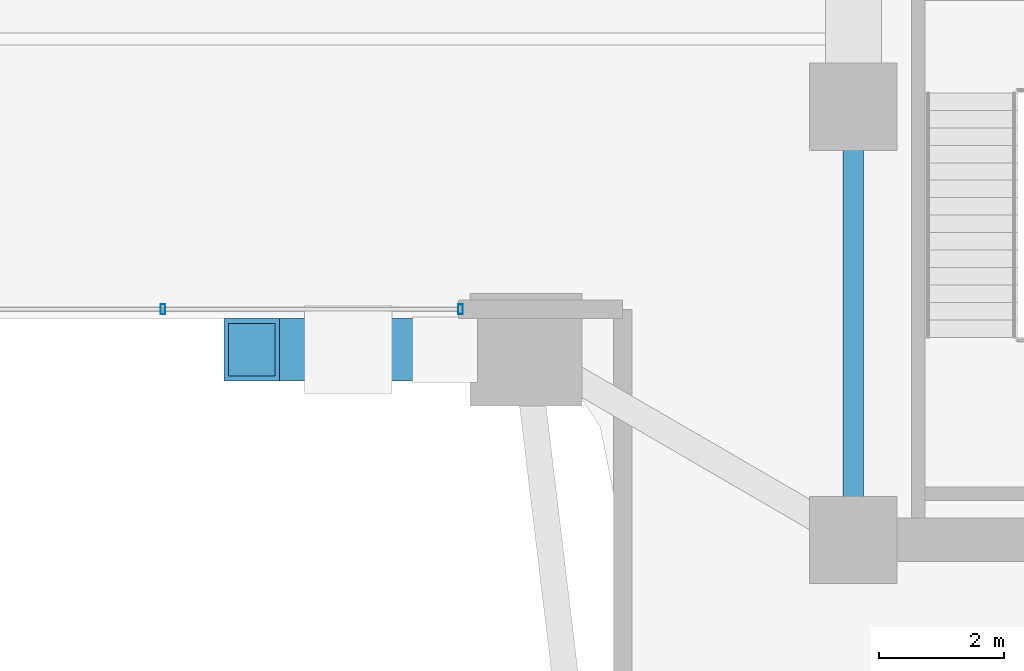
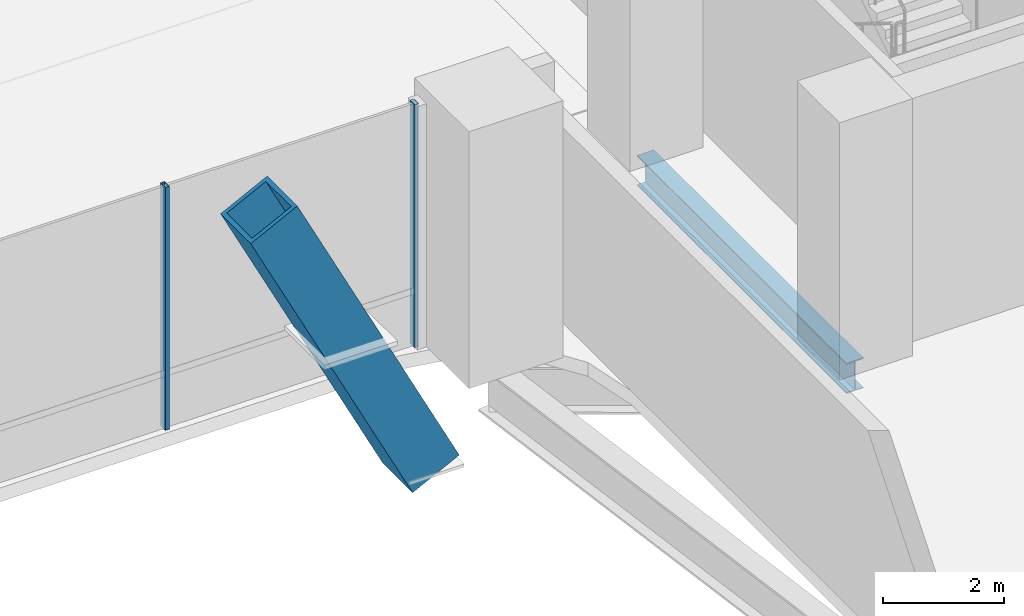
# One storey, part 10 of 39: 3 members, 1 beam, 1 element without a shape of its own.
"""IFC4 building model written with IfcOpenShell, lengths in metres."""

from ifc_helpers import new_model, si_unit, direction, frame, origin, origin_2d, place, context, subcontext, project, spatial, hollow_rectangle, i_section, extrude, source, transform, mapped, material, material_profile, profile_set, type_object, element, aggregate, save


model = new_model("IFC4")

# Units and contexts
model_context = context("Model", 3, precision=1e-05, world=origin(), true_north=direction((0.0, 1.0)))
body_context = subcontext(model_context, "Body", "Model", "MODEL_VIEW")
ifc_project = project(units=[si_unit("LENGTHUNIT", "METRE"), si_unit("AREAUNIT", "SQUARE_METRE"), si_unit("VOLUMEUNIT", "CUBIC_METRE"), si_unit("PLANEANGLEUNIT", "RADIAN"), si_unit("MASSUNIT", "GRAM", prefix="KILO")], contexts=[model_context])

# Site, building, storey
site_placement = place(None, origin())
site = spatial("IfcSite", under=ifc_project, at=site_placement, CompositionType="ELEMENT")
building_placement = place(site_placement, origin())
building = spatial("IfcBuilding", under=site, at=building_placement, Name="Valdorenza Pilgrim Sanctuary Tower", CompositionType="ELEMENT")
storey_placement = place(building_placement, frame((0.0, 0.0, 10.39990234375)))
storey = spatial("IfcBuildingStorey", under=building, at=storey_placement, Name="L02", CompositionType="ELEMENT", Elevation=10.39990234375)

# Beam
ifc_material_1 = material(Name="Steel ASTM A992 Grade 50", Category="steel")
ifc_material_profile_1 = material_profile(ifc_material_1, i_section(OverallWidth=0.323974609375, OverallDepth=0.611083984375, WebThickness=0.0126953125, FlangeThickness=0.01904296875, at=origin_2d()), Name="W24X104")
ifc_profile_set_1 = profile_set([ifc_material_profile_1], Name="Steel ASTM A992 Grade 50")
beam_type = type_object("IfcBeamType", Name="STR-BM-GRD-W24B", PredefinedType="BEAM", material=ifc_profile_set_1)
shared_shape_1 = source(origin(), body_context, "Body", "SweptSolid", [
    extrude(i_section(OverallWidth=0.323974609375, OverallDepth=0.611083984375, WebThickness=0.0126953125, FlangeThickness=0.01904296875, at=origin_2d()), origin(), (0.0, 0.0, 1.0), 6.949951171875),
])
beam_placement = place(storey_placement, frame((15.85009765625, -9.550048828125, -0.58544921875), z_axis=(0.0, 1.0, 0.0), x_axis=(-1.0, 0.0, 0.0)))
element("IfcBeam", 1, at=beam_placement, inside=storey, type_object=beam_type, Name="L02 Core Tie Girder CB-W-S1M0", PredefinedType="BEAM", context=body_context, shape_type="MappedRepresentation", body=[
    mapped(shared_shape_1, transform((0.0, 0.0, 0.0), x_axis=(1.0, 0.0, 0.0), y_axis=(0.0, 1.0, 0.0), z_axis=(0.0, 0.0, 1.0), scale=1.0)),
])

# Member
ifc_material_2 = material(Name="Steel ASTM A572 Grade 42", Category="steel")
ifc_material_profile_2 = material_profile(ifc_material_2, hollow_rectangle(XDim=1.0, YDim=1.0, WallThickness=0.080078125, at=origin_2d()), Name="BOX 1000x1000x80")
ifc_profile_set_2 = profile_set([ifc_material_profile_2], Name="Steel ASTM A572 Grade 42")
member_type_1 = type_object("IfcMemberType", Name="STR-MB-ARCH-RIB", PredefinedType="CHORD", material=ifc_profile_set_2)
shared_shape_2 = source(origin(), body_context, "Body", "SweptSolid", [
    extrude(hollow_rectangle(XDim=1.0, YDim=1.0, WallThickness=0.080078125, at=origin_2d()), origin(), (0.0, 0.0, 1.0), 6.86474609375),
])
member_1_placement = place(storey_placement, frame((6.199951171875, -6.5, 4.300048828125), z_axis=(0.451589695297, 0.0, -0.892225726541), x_axis=(0.0, 1.0, 0.0)))
element("IfcMember", 2, at=member_1_placement, inside=storey, type_object=member_type_1, Name="Parabolic Portal Arch Rib INNER Seg 7", PredefinedType="CHORD", context=body_context, shape_type="MappedRepresentation", body=[
    mapped(shared_shape_2, transform((0.0, 0.0, 0.0), x_axis=(1.0, 0.0, 0.0), y_axis=(0.0, 1.0, 0.0), z_axis=(0.0, 0.0, 1.0), scale=1.0)),
])

# Curtain wall, members
ifc_material_3 = material(Name="Curtain-wall IGU glazing", Category="glass")
curtain_wall_type = type_object("IfcCurtainWallType", Name="CW-SYS-01", PredefinedType="NOTDEFINED", material=ifc_material_3)
curtain_wall_placement = place(storey_placement, origin())
curtain_wall = element("IfcCurtainWall", 3, at=curtain_wall_placement, inside=storey, type_object=curtain_wall_type, Name="L02 Curtain Wall CW-POD-L02-ARCH-BACK", PredefinedType="NOTDEFINED")
ifc_material_4 = material(Name="Anodised aluminium AW-6060", Category="aluminium")
ifc_material_profile_3 = material_profile(ifc_material_4, hollow_rectangle(XDim=0.074951171875, YDim=0.159912109375, WallThickness=0.00390625, at=origin_2d()), Name="ALU-M 160x75x4")
ifc_profile_set_3 = profile_set([ifc_material_profile_3], Name="Anodised aluminium AW-6060")
member_type_2 = type_object("IfcMemberType", Name="CW-MUL-01", PredefinedType="MULLION", material=ifc_profile_set_3)
shared_shape_3 = source(origin(), body_context, "Body", "SweptSolid", [
    extrude(hollow_rectangle(XDim=0.074951171875, YDim=0.159912109375, WallThickness=0.00390625, at=origin_2d()), origin(), (0.0, 0.0, 1.0), 4.920166015625),
])
member_2_placement = place(storey_placement, frame((4.77490234375, -5.85009765625, 0.0), z_axis=(0.0, 0.0, 1.0), x_axis=(1.0, 0.0, 0.0)))
member_2 = element("IfcMember", 4, at=member_2_placement, type_object=member_type_2, Name="CW-POD-L02-ARCH-BACK Mullion 4", PredefinedType="MULLION", context=body_context, shape_type="MappedRepresentation", body=[
    mapped(shared_shape_3, transform((0.0, 0.0, 0.0), x_axis=(1.0, 0.0, 0.0), y_axis=(0.0, 1.0, 0.0), z_axis=(0.0, 0.0, 1.0), scale=1.0)),
])
member_3_placement = place(storey_placement, frame((9.550048828125, -5.85009765625, 0.0), z_axis=(0.0, 0.0, 1.0), x_axis=(1.0, 0.0, 0.0)))
member_3 = element("IfcMember", 5, at=member_3_placement, type_object=member_type_2, Name="CW-POD-L02-ARCH-BACK Mullion 5", PredefinedType="MULLION", context=body_context, shape_type="MappedRepresentation", body=[
    mapped(shared_shape_3, transform((0.0, 0.0, 0.0), x_axis=(1.0, 0.0, 0.0), y_axis=(0.0, 1.0, 0.0), z_axis=(0.0, 0.0, 1.0), scale=1.0)),
])
aggregate(curtain_wall, [member_2, member_3])

save(model, "model.ifc")
